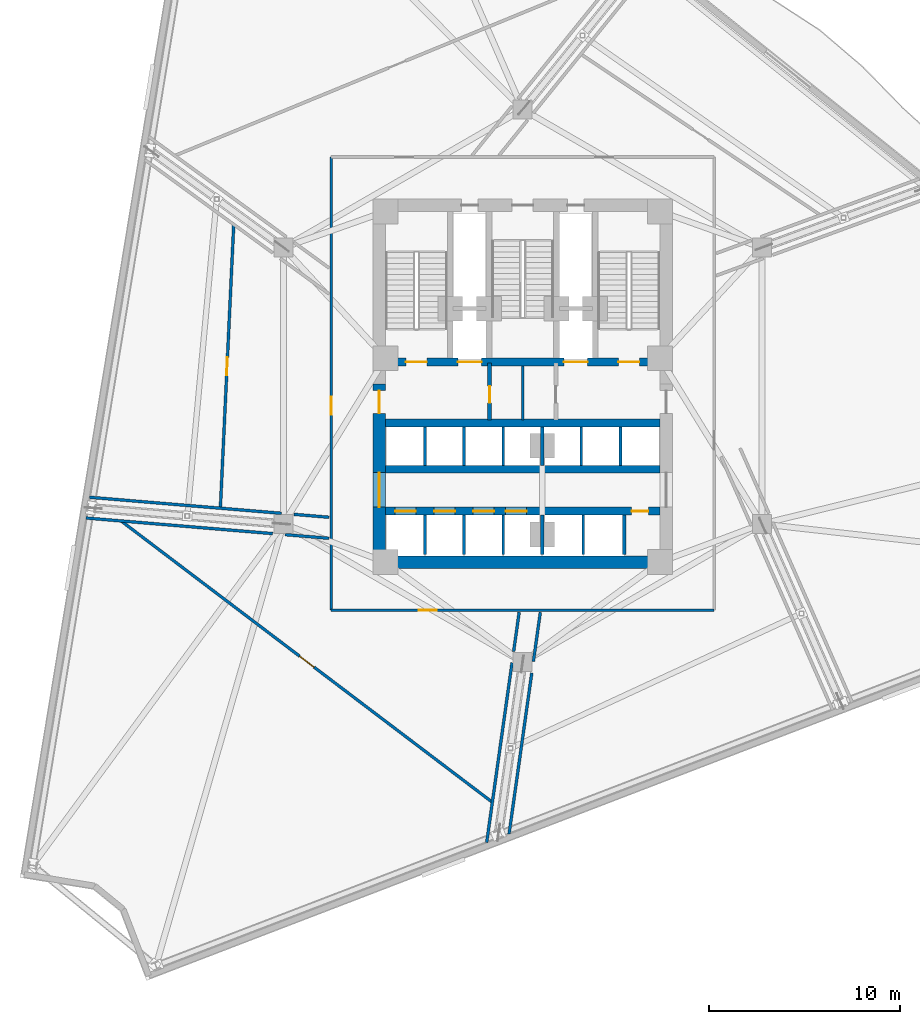
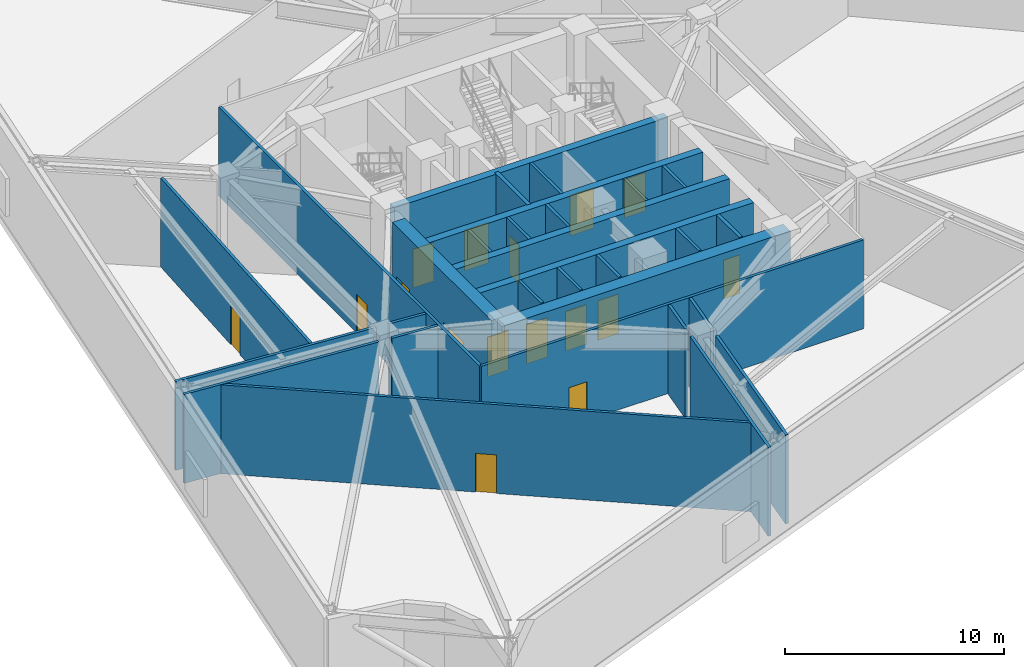
# One storey, part 12 of 18: 32 walls, 16 doors, 16 openings.
"""IFC4 building model written with IfcOpenShell, lengths in metres."""

from ifc_helpers import new_model, si_unit, direction, frame, frame_2d, origin, place, context, subcontext, project, spatial, rectangle, extrude, material, layer, layer_set, type_object, element, fill, save


model = new_model("IFC4")

# Units and contexts
model_context = context("Model", 3, precision=1e-05, world=origin(), true_north=direction((0.0, 1.0)))
body_context = subcontext(model_context, "Body", "Model", "MODEL_VIEW")
ifc_project = project(units=[si_unit("LENGTHUNIT", "METRE"), si_unit("AREAUNIT", "SQUARE_METRE"), si_unit("VOLUMEUNIT", "CUBIC_METRE"), si_unit("PLANEANGLEUNIT", "RADIAN"), si_unit("MASSUNIT", "GRAM", prefix="KILO")], contexts=[model_context])

# Site, building, storey
site_placement = place(None, origin())
site = spatial("IfcSite", under=ifc_project, at=site_placement, CompositionType="ELEMENT")
building_placement = place(site_placement, origin())
building = spatial("IfcBuilding", under=site, at=building_placement, Name="Apsidion Concourse Tower", CompositionType="ELEMENT")
storey_placement = place(building_placement, frame((0.0, 0.0, 127.0)))
storey = spatial("IfcBuildingStorey", under=building, at=storey_placement, Name="L29", CompositionType="ELEMENT", Elevation=127.0)

# Walls
ifc_material_1 = material(Name="Gypsum plasterboard partition")
ifc_layer_1 = layer(ifc_material_1, 0.14990234375)
ifc_layer_set_1 = layer_set([ifc_layer_1], Name="Gypsum plasterboard partition")
wall_type_1 = type_object("IfcWallType", Name="WL-INT-PAR-150", PredefinedType="PARTITIONING", material=ifc_layer_set_1)
for number, where, z_axis, x_axis, name in (
    (1, (-5.125, -4.179931640625, 0.0), (0.0, 0.0, 1.0), (0.0, 1.0, 0.0), "L29 Interior Partition WL-L29-B1DIV-1"),
    (2, (-3.074951171875, -4.179931640625, 0.0), (0.0, 0.0, 1.0), (0.0, 1.0, 0.0), "L29 Interior Partition WL-L29-B1DIV-2"),
    (3, (-1.02490234375, -4.179931640625, 0.0), (0.0, 0.0, 1.0), (0.0, 1.0, 0.0), "L29 Interior Partition WL-L29-B1DIV-3"),
    (4, (3.074951171875, -4.179931640625, 0.0), (0.0, 0.0, 1.0), (0.0, 1.0, 0.0), "L29 Interior Partition WL-L29-B3DIV-1"),
    (5, (5.125, -4.179931640625, 0.0), (0.0, 0.0, 1.0), (0.0, 1.0, 0.0), "L29 Interior Partition WL-L29-B3DIV-2"),
):
    element("IfcWall", number, at=place(storey_placement, frame(where, z_axis=z_axis, x_axis=x_axis)), inside=storey, type_object=wall_type_1, Name=name, PredefinedType="PARTITIONING", context=body_context, shape_type="SweptSolid", body=[
        extrude(rectangle(XDim=2.030029296875, YDim=0.14990234375, at=frame_2d((1.01513671875, 0.0))), origin(), (0.0, 0.0, 1.0), 4.949951171875),
    ])
for number, where, z_axis, x_axis, name in (
    (6, (-5.125, -8.85009765625, 0.0), (0.0, 0.0, 1.0), (0.0, 1.0, 0.0), "L29 Interior Partition WL-L29-B2DIV-1"),
    (7, (-3.074951171875, -8.85009765625, 0.0), (0.0, 0.0, 1.0), (0.0, 1.0, 0.0), "L29 Interior Partition WL-L29-B2DIV-2"),
    (8, (-1.02490234375, -8.85009765625, 0.0), (0.0, 0.0, 1.0), (0.0, 1.0, 0.0), "L29 Interior Partition WL-L29-B2DIV-3"),
    (9, (3.175048828125, -8.85009765625, 0.0), (0.0, 0.0, 1.0), (0.0, 1.0, 0.0), "L29 Interior Partition WL-L29-SHDIV-1"),
):
    element("IfcWall", number, at=place(storey_placement, frame(where, z_axis=z_axis, x_axis=x_axis)), inside=storey, type_object=wall_type_1, Name=name, PredefinedType="PARTITIONING", context=body_context, shape_type="SweptSolid", body=[
        extrude(rectangle(XDim=2.080078125, YDim=0.14990234375, at=frame_2d((1.0400390625, 0.0))), origin(), (0.0, 0.0, 1.0), 4.949951171875),
    ])
wall_1_placement = place(storey_placement, frame((0.0, -1.780029296875, 0.0), z_axis=(0.0, 0.0, 1.0), x_axis=(0.0, 1.0, 0.0)))
element("IfcWall", 10, at=wall_1_placement, inside=storey, type_object=wall_type_1, Name="L29 Interior Partition WL-L29-K3V", PredefinedType="PARTITIONING", context=body_context, shape_type="SweptSolid", body=[
    extrude(rectangle(XDim=2.830078125, YDim=0.14990234375, at=frame_2d((1.4150390625, 0.0))), origin(), (0.0, 0.0, 1.0), 4.949951171875),
])

# Wall, opening, door
wall_2_placement = place(storey_placement, frame((10.050048828125, -11.77490234375, 0.0), z_axis=(0.0, 0.0, 1.0), x_axis=(-1.0, 0.0, 0.0)))
wall_2 = element("IfcWall", 11, at=wall_2_placement, inside=storey, type_object=wall_type_1, Name="L29 Interior Partition WL-L29-CORR-03", PredefinedType="PARTITIONING", context=body_context, shape_type="SweptSolid", body=[
    extrude(rectangle(XDim=20.10009765625, YDim=0.14990234375, at=frame_2d((10.050048828125, 0.0))), origin(), (0.0, 0.0, 1.0), 4.949951171875),
])
opening_1_placement = place(wall_2_placement, frame((14.561767578125, 0.0, 0.0)))
opening_1 = element("IfcOpeningElement", 12, at=opening_1_placement, cuts=wall_2, Name="Opening D-01R", PredefinedType="OPENING", context=body_context, shape_type="SweptSolid", body=[
    extrude(rectangle(XDim=0.949951171875, YDim=2.14990234375, at=frame_2d((0.47509765625, 1.074951171875))), frame((0.0, 0.0849609375, 0.0), z_axis=(0.0, -1.0, 0.0), x_axis=(1.0, 0.0, 0.0)), (0.0, 0.0, 1.0), 0.169921875),
])
ifc_material_2 = material(Name="Brushed stainless steel 316", Category="steel")
door_type_1 = type_object("IfcDoorType", Name="DR-INT-D01R", OperationType="SINGLE_SWING_RIGHT", PredefinedType="DOOR", material=ifc_material_2)
door_1_placement = place(opening_1_placement, origin())
door_1 = element("IfcDoor", 13, at=door_1_placement, inside=storey, type_object=door_type_1, Name="L29 Corridor Entry Door 02", OperationType="SINGLE_SWING_RIGHT", OverallHeight=2.14990234375, OverallWidth=0.949951171875, PredefinedType="DOOR", context=body_context, shape_type="SweptSolid", body=[
    extrude(rectangle(XDim=0.949951171875, YDim=2.14990234375, at=frame_2d((0.47509765625, 1.074951171875))), frame((0.0, 0.02490234375, 0.0), z_axis=(0.0, -1.0, 0.0), x_axis=(1.0, 0.0, 0.0)), (0.0, 0.0, 1.0), 0.050048828125),
])
fill(opening_1, door_1)

wall_3_placement = place(storey_placement, frame((-10.050048828125, -11.77490234375, 0.0), z_axis=(0.0, 0.0, 1.0), x_axis=(0.0, 1.0, 0.0)))
wall_3 = element("IfcWall", 14, at=wall_3_placement, inside=storey, type_object=wall_type_1, Name="L29 Interior Partition WL-L29-CORR-04", PredefinedType="PARTITIONING", context=body_context, shape_type="SweptSolid", body=[
    extrude(rectangle(XDim=23.77490234375, YDim=0.14990234375, at=frame_2d((11.887451171875, 0.0))), origin(), (0.0, 0.0, 1.0), 4.949951171875),
])
opening_2_placement = place(wall_3_placement, frame((10.257080078125, 0.0, 0.0)))
opening_2 = element("IfcOpeningElement", 15, at=opening_2_placement, cuts=wall_3, Name="Opening D-01R", PredefinedType="OPENING", context=body_context, shape_type="SweptSolid", body=[
    extrude(rectangle(XDim=0.949951171875, YDim=2.14990234375, at=frame_2d((0.47509765625, 1.074951171875))), frame((0.0, 0.0849609375, 0.0), z_axis=(0.0, -1.0, 0.0), x_axis=(1.0, 0.0, 0.0)), (0.0, 0.0, 1.0), 0.169921875),
])
door_2_placement = place(opening_2_placement, origin())
door_2 = element("IfcDoor", 16, at=door_2_placement, inside=storey, type_object=door_type_1, Name="L29 Corridor Entry Door 06", OperationType="SINGLE_SWING_RIGHT", OverallHeight=2.14990234375, OverallWidth=0.949951171875, PredefinedType="DOOR", context=body_context, shape_type="SweptSolid", body=[
    extrude(rectangle(XDim=0.949951171875, YDim=2.14990234375, at=frame_2d((0.47509765625, 1.074951171875))), frame((0.0, 0.02490234375, 0.0), z_axis=(0.0, -1.0, 0.0), x_axis=(1.0, 0.0, 0.0)), (0.0, 0.0, 1.0), 0.050048828125),
])
fill(opening_2, door_2)

# Walls
wall_4_placement = place(storey_placement, frame((-10.155029296875, -6.89892578125, 0.0), z_axis=(0.0, 0.0, 1.0), x_axis=(-0.996532103205, 0.083209177865, 0.0)))
element("IfcWall", 17, at=wall_4_placement, inside=storey, type_object=wall_type_1, Name="L29 Interior Partition WL-L29-OTW-01-1-1", PredefinedType="PARTITIONING", context=body_context, shape_type="SweptSolid", body=[
    extrude(rectangle(XDim=1.851318359375, YDim=0.14990234375, at=frame_2d((0.92578125, 0.0))), origin(), (0.0, 0.0, 1.0), 4.949951171875),
])
wall_5_placement = place(storey_placement, frame((-12.656982421875, -6.68994140625, 0.0), z_axis=(0.0, 0.0, 1.0), x_axis=(-0.996528920514, 0.083247285716, 0.0)))
element("IfcWall", 18, at=wall_5_placement, inside=storey, type_object=wall_type_1, Name="L29 Interior Partition WL-L29-OTW-01-1-2", PredefinedType="PARTITIONING", context=body_context, shape_type="SweptSolid", body=[
    extrude(rectangle(XDim=10.112060546875, YDim=0.14990234375, at=frame_2d((5.05615234375, 0.0))), origin(), (0.0, 0.0, 1.0), 4.949951171875),
])
wall_6_placement = place(storey_placement, frame((-10.155029296875, -8.0029296875, 0.0), z_axis=(0.0, 0.0, 1.0), x_axis=(-0.996528293092, 0.08325479606, 0.0)))
element("IfcWall", 19, at=wall_6_placement, inside=storey, type_object=wall_type_1, Name="L29 Interior Partition WL-L29-OTW-01-2-1", PredefinedType="PARTITIONING", context=body_context, shape_type="SweptSolid", body=[
    extrude(rectangle(XDim=2.316650390625, YDim=0.14990234375, at=frame_2d((1.158203125, 0.0))), origin(), (0.0, 0.0, 1.0), 4.949951171875),
])
wall_7_placement = place(storey_placement, frame((-13.1201171875, -7.755126953125, 0.0), z_axis=(0.0, 0.0, 1.0), x_axis=(-0.996528259086, 0.083255203096, 0.0)))
element("IfcWall", 20, at=wall_7_placement, inside=storey, type_object=wall_type_1, Name="L29 Interior Partition WL-L29-OTW-01-2-2", PredefinedType="PARTITIONING", context=body_context, shape_type="SweptSolid", body=[
    extrude(rectangle(XDim=9.82666015625, YDim=0.14990234375, at=frame_2d((4.913330078125, 0.0))), origin(), (0.0, 0.0, 1.0), 4.949951171875),
])
wall_8_placement = place(storey_placement, frame((-0.185791015625, -11.8798828125, 0.0), z_axis=(0.0, 0.0, 1.0), x_axis=(-0.139761852294, -0.990185146648, 0.0)))
element("IfcWall", 21, at=wall_8_placement, inside=storey, type_object=wall_type_1, Name="L29 Interior Partition WL-L29-OTW-06-1-1", PredefinedType="PARTITIONING", context=body_context, shape_type="SweptSolid", body=[
    extrude(rectangle(XDim=2.08056640625, YDim=0.14990234375, at=frame_2d((1.040283203125, 0.0))), origin(), (0.0, 0.0, 1.0), 4.949951171875),
])
wall_9_placement = place(storey_placement, frame((-0.56005859375, -14.531982421875, 0.0), z_axis=(0.0, 0.0, 1.0), x_axis=(-0.139728832647, -0.990189806717, 0.0)))
element("IfcWall", 22, at=wall_9_placement, inside=storey, type_object=wall_type_1, Name="L29 Interior Partition WL-L29-OTW-06-1-2", PredefinedType="PARTITIONING", context=body_context, shape_type="SweptSolid", body=[
    extrude(rectangle(XDim=9.532958984375, YDim=0.14990234375, at=frame_2d((4.7666015625, 0.0))), origin(), (0.0, 0.0, 1.0), 4.949951171875),
])
wall_10_placement = place(storey_placement, frame((0.925048828125, -11.8798828125, 0.0), z_axis=(0.0, 0.0, 1.0), x_axis=(-0.139668505067, -0.99019831786, 0.0)))
element("IfcWall", 23, at=wall_10_placement, inside=storey, type_object=wall_type_1, Name="L29 Interior Partition WL-L29-OTW-06-2-1", PredefinedType="PARTITIONING", context=body_context, shape_type="SweptSolid", body=[
    extrude(rectangle(XDim=2.61328125, YDim=0.14990234375, at=frame_2d((1.306640625, 0.0))), origin(), (0.0, 0.0, 1.0), 4.949951171875),
])
wall_11_placement = place(storey_placement, frame((0.476318359375, -15.06005859375, 0.0), z_axis=(0.0, 0.0, 1.0), x_axis=(-0.139725018377, -0.990190344954, 0.0)))
element("IfcWall", 24, at=wall_11_placement, inside=storey, type_object=wall_type_1, Name="L29 Interior Partition WL-L29-OTW-06-2-2", PredefinedType="PARTITIONING", context=body_context, shape_type="SweptSolid", body=[
    extrude(rectangle(XDim=8.544189453125, YDim=0.14990234375, at=frame_2d((4.27197265625, 0.0))), origin(), (0.0, 0.0, 1.0), 4.949951171875),
])

# Wall, opening, door
wall_12_placement = place(storey_placement, frame((-21.043212890625, -7.11328125, 0.0), z_axis=(0.0, 0.0, 1.0), x_axis=(0.797059575398, -0.603900681625, 0.0)))
wall_12 = element("IfcWall", 25, at=wall_12_placement, inside=storey, type_object=wall_type_1, Name="L29 Interior Partition WL-L29-CHD-PLS01", PredefinedType="PARTITIONING", context=body_context, shape_type="SweptSolid", body=[
    extrude(rectangle(XDim=24.380126953125, YDim=0.14990234375, at=frame_2d((12.18994140625, 0.0))), origin(), (0.0, 0.0, 1.0), 4.949951171875),
])
opening_3_placement = place(wall_12_placement, frame((11.715087890625, 0.0, 0.0)))
opening_3 = element("IfcOpeningElement", 26, at=opening_3_placement, cuts=wall_12, Name="Opening D-04L", PredefinedType="OPENING", context=body_context, shape_type="SweptSolid", body=[
    extrude(rectangle(XDim=0.949951171875, YDim=2.14990234375, at=frame_2d((0.47509765625, 1.074951171875))), frame((0.0, 0.0849609375, 0.0), z_axis=(0.0, -1.0, 0.0), x_axis=(1.0, 0.0, 0.0)), (0.0, 0.0, 1.0), 0.169921875),
])
door_type_2 = type_object("IfcDoorType", Name="DR-INT-D04L", OperationType="SINGLE_SWING_LEFT", PredefinedType="DOOR", material=ifc_material_2)
door_3_placement = place(opening_3_placement, origin())
door_3 = element("IfcDoor", 27, at=door_3_placement, inside=storey, type_object=door_type_2, Name="L29 Suite Connecting Door PLS01", OperationType="SINGLE_SWING_LEFT", OverallHeight=2.14990234375, OverallWidth=0.949951171875, PredefinedType="DOOR", context=body_context, shape_type="SweptSolid", body=[
    extrude(rectangle(XDim=0.949951171875, YDim=2.14990234375, at=frame_2d((0.47509765625, 1.074951171875))), frame((0.0, 0.02490234375, 0.0), z_axis=(0.0, -1.0, 0.0), x_axis=(1.0, 0.0, 0.0)), (0.0, 0.0, 1.0), 0.050048828125),
])
fill(opening_3, door_3)

wall_13_placement = place(storey_placement, frame((-15.1650390625, 8.44189453125, 0.0), z_axis=(0.0, 0.0, 1.0), x_axis=(-0.047068709215, -0.998891654091, 0.0)))
wall_13 = element("IfcWall", 28, at=wall_13_placement, inside=storey, type_object=wall_type_1, Name="L29 Interior Partition WL-L29-CHD-PLS03", PredefinedType="PARTITIONING", context=body_context, shape_type="SweptSolid", body=[
    extrude(rectangle(XDim=14.8603515625, YDim=0.14990234375, at=frame_2d((7.43017578125, 0.0))), origin(), (0.0, 0.0, 1.0), 4.949951171875),
])
opening_4_placement = place(wall_13_placement, frame((6.955078125, 0.0, 0.0)))
opening_4 = element("IfcOpeningElement", 29, at=opening_4_placement, cuts=wall_13, Name="Opening D-04L", PredefinedType="OPENING", context=body_context, shape_type="SweptSolid", body=[
    extrude(rectangle(XDim=0.949951171875, YDim=2.14990234375, at=frame_2d((0.47509765625, 1.074951171875))), frame((0.0, 0.0849609375, 0.0), z_axis=(0.0, -1.0, 0.0), x_axis=(1.0, 0.0, 0.0)), (0.0, 0.0, 1.0), 0.169921875),
])
door_4_placement = place(opening_4_placement, origin())
door_4 = element("IfcDoor", 30, at=door_4_placement, inside=storey, type_object=door_type_2, Name="L29 Suite Connecting Door PLS03", OperationType="SINGLE_SWING_LEFT", OverallHeight=2.14990234375, OverallWidth=0.949951171875, PredefinedType="DOOR", context=body_context, shape_type="SweptSolid", body=[
    extrude(rectangle(XDim=0.949951171875, YDim=2.14990234375, at=frame_2d((0.47509765625, 1.074951171875))), frame((0.0, 0.02490234375, 0.0), z_axis=(0.0, -1.0, 0.0), x_axis=(1.0, 0.0, 0.0)), (0.0, 0.0, 1.0), 0.050048828125),
])
fill(opening_4, door_4)

# Walls
ifc_layer_2 = layer(ifc_material_1, 0.179931640625)
ifc_layer_set_2 = layer_set([ifc_layer_2], Name="Gypsum plasterboard partition")
wall_type_2 = type_object("IfcWallType", Name="WL-INT-PAR-180", PredefinedType="PARTITIONING", material=ifc_layer_set_2)
wall_14_placement = place(storey_placement, frame((1.02490234375, -4.179931640625, 0.0), z_axis=(0.0, 0.0, 1.0), x_axis=(0.0, 1.0, 0.0)))
element("IfcWall", 31, at=wall_14_placement, inside=storey, type_object=wall_type_2, Name="L29 Interior Partition WL-L29-B1END", PredefinedType="PARTITIONING", context=body_context, shape_type="SweptSolid", body=[
    extrude(rectangle(XDim=2.030029296875, YDim=0.179931640625, at=frame_2d((1.01513671875, 0.0))), origin(), (0.0, 0.0, 1.0), 3.998046875),
])
wall_15_placement = place(storey_placement, frame((1.02490234375, -8.85009765625, 0.0), z_axis=(0.0, 0.0, 1.0), x_axis=(0.0, 1.0, 0.0)))
element("IfcWall", 32, at=wall_15_placement, inside=storey, type_object=wall_type_2, Name="L29 Interior Partition WL-L29-B2END", PredefinedType="PARTITIONING", context=body_context, shape_type="SweptSolid", body=[
    extrude(rectangle(XDim=2.080078125, YDim=0.179931640625, at=frame_2d((1.0400390625, 0.0))), origin(), (0.0, 0.0, 1.0), 3.998046875),
])
wall_16_placement = place(storey_placement, frame((5.324951171875, -8.85009765625, 0.0), z_axis=(0.0, 0.0, 1.0), x_axis=(0.0, 1.0, 0.0)))
element("IfcWall", 33, at=wall_16_placement, inside=storey, type_object=wall_type_2, Name="L29 Interior Partition WL-L29-SHDIV-2", PredefinedType="PARTITIONING", context=body_context, shape_type="SweptSolid", body=[
    extrude(rectangle(XDim=2.080078125, YDim=0.179931640625, at=frame_2d((1.0400390625, 0.0))), origin(), (0.0, 0.0, 1.0), 4.949951171875),
])

# Wall, opening, door
ifc_layer_3 = layer(ifc_material_1, 0.199951171875)
ifc_layer_set_3 = layer_set([ifc_layer_3], Name="Gypsum plasterboard partition")
wall_type_3 = type_object("IfcWallType", Name="WL-INT-PAR-200", PredefinedType="PARTITIONING", material=ifc_layer_set_3)
wall_17_placement = place(storey_placement, frame((-1.739990234375, -1.780029296875, 0.0), z_axis=(0.0, 0.0, 1.0), x_axis=(0.0, 1.0, 0.0)))
wall_17 = element("IfcWall", 34, at=wall_17_placement, inside=storey, type_object=wall_type_3, Name="L29 Interior Partition WL-L29-FF1-E", PredefinedType="PARTITIONING", context=body_context, shape_type="SweptSolid", body=[
    extrude(rectangle(XDim=2.97998046875, YDim=0.199951171875, at=frame_2d((1.489990234375, 0.0))), origin(), (0.0, 0.0, 1.0), 4.949951171875),
])
opening_5_placement = place(wall_17_placement, frame((0.889892578125, 0.0, 0.0)))
opening_5 = element("IfcOpeningElement", 35, at=opening_5_placement, cuts=wall_17, Name="Opening D-05R", PredefinedType="OPENING", context=body_context, shape_type="SweptSolid", body=[
    extrude(rectangle(XDim=0.8798828125, YDim=2.14990234375, at=frame_2d((0.43994140625, 1.074951171875))), frame((0.0, 0.10986328125, 0.0), z_axis=(0.0, -1.0, 0.0), x_axis=(1.0, 0.0, 0.0)), (0.0, 0.0, 1.0), 0.219970703125),
])
door_type_3 = type_object("IfcDoorType", Name="DR-INT-D05R", OperationType="SINGLE_SWING_RIGHT", PredefinedType="DOOR", material=ifc_material_2)
door_5_placement = place(opening_5_placement, origin())
door_5 = element("IfcDoor", 36, at=door_5_placement, inside=storey, type_object=door_type_3, Name="L29 Core Pantry Door", OperationType="SINGLE_SWING_RIGHT", OverallHeight=2.14990234375, OverallWidth=0.8798828125, PredefinedType="DOOR", context=body_context, shape_type="SweptSolid", body=[
    extrude(rectangle(XDim=0.8798828125, YDim=2.14990234375, at=frame_2d((0.43994140625, 1.074951171875))), frame((0.0, 0.02490234375, 0.0), z_axis=(0.0, -1.0, 0.0), x_axis=(1.0, 0.0, 0.0)), (0.0, 0.0, 1.0), 0.050048828125),
])
fill(opening_5, door_5)

# Wall, openings, doors
ifc_material_3 = material(Name="Concrete C50/60", Category="concrete")
ifc_layer_4 = layer(ifc_material_3, 0.39990234375)
ifc_layer_set_4 = layer_set([ifc_layer_4], Name="Concrete C50/60")
wall_type_4 = type_object("IfcWallType", Name="WL-SH-400", PredefinedType="SHEAR", material=ifc_layer_set_4)
wall_18_placement = place(storey_placement, frame((-7.199951171875, 1.25, 0.0), z_axis=(0.0, 0.0, 1.0), x_axis=(1.0, 0.0, 0.0)))
wall_18 = element("IfcWall", 37, at=wall_18_placement, inside=storey, type_object=wall_type_4, Name="L29 Central Core Shear Wall M1", PredefinedType="SHEAR", context=body_context, shape_type="SweptSolid", body=[
    extrude(rectangle(XDim=14.39990234375, YDim=0.39990234375, at=frame_2d((7.199951171875, 0.0))), origin(), (0.0, 0.0, 1.0), 4.949951171875),
])
opening_6_placement = place(wall_18_placement, frame((3.794921875, 0.0, 0.0)))
opening_6 = element("IfcOpeningElement", 38, at=opening_6_placement, cuts=wall_18, Name="Opening LD-FF", PredefinedType="OPENING", context=body_context, shape_type="SweptSolid", body=[
    extrude(rectangle(XDim=1.25, YDim=2.25, at=frame_2d((0.625, 1.125))), frame((0.0, 0.2099609375, 0.0), z_axis=(0.0, -1.0, 0.0), x_axis=(1.0, 0.0, 0.0)), (0.0, 0.0, 1.0), 0.419921875),
])
opening_7_placement = place(wall_18_placement, frame((9.35498046875, 0.0, 0.0)))
opening_7 = element("IfcOpeningElement", 39, at=opening_7_placement, cuts=wall_18, Name="Opening LD-FF", PredefinedType="OPENING", context=body_context, shape_type="SweptSolid", body=[
    extrude(rectangle(XDim=1.25, YDim=2.25, at=frame_2d((0.625, 1.125))), frame((0.0, 0.2099609375, 0.0), z_axis=(0.0, -1.0, 0.0), x_axis=(1.0, 0.0, 0.0)), (0.0, 0.0, 1.0), 0.419921875),
])
opening_8_placement = place(wall_18_placement, frame((1.074951171875, 0.0, 0.0)))
opening_8 = element("IfcOpeningElement", 40, at=opening_8_placement, cuts=wall_18, Name="Opening D-STL", PredefinedType="OPENING", context=body_context, shape_type="SweptSolid", body=[
    extrude(rectangle(XDim=1.10009765625, YDim=2.14990234375, at=frame_2d((0.550048828125, 1.074951171875))), frame((0.0, 0.2099609375, 0.0), z_axis=(0.0, -1.0, 0.0), x_axis=(1.0, 0.0, 0.0)), (0.0, 0.0, 1.0), 0.419921875),
])
opening_9_placement = place(wall_18_placement, frame((12.22509765625, 0.0, 0.0)))
opening_9 = element("IfcOpeningElement", 41, at=opening_9_placement, cuts=wall_18, Name="Opening D-STR", PredefinedType="OPENING", context=body_context, shape_type="SweptSolid", body=[
    extrude(rectangle(XDim=1.10009765625, YDim=2.14990234375, at=frame_2d((0.550048828125, 1.074951171875))), frame((0.0, 0.2099609375, 0.0), z_axis=(0.0, -1.0, 0.0), x_axis=(1.0, 0.0, 0.0)), (0.0, 0.0, 1.0), 0.419921875),
])
door_type_4 = type_object("IfcDoorType", Name="DR-INT-ST1L", OperationType="SINGLE_SWING_LEFT", PredefinedType="DOOR", material=ifc_material_2)
door_6_placement = place(opening_8_placement, origin())
door_6 = element("IfcDoor", 42, at=door_6_placement, inside=storey, type_object=door_type_4, Name="L29 Core Exit Stair ST1 Door", OperationType="SINGLE_SWING_LEFT", OverallHeight=2.14990234375, OverallWidth=1.10009765625, PredefinedType="DOOR", context=body_context, shape_type="SweptSolid", body=[
    extrude(rectangle(XDim=1.10009765625, YDim=2.14990234375, at=frame_2d((0.550048828125, 1.074951171875))), frame((0.0, 0.02490234375, 0.0), z_axis=(0.0, -1.0, 0.0), x_axis=(1.0, 0.0, 0.0)), (0.0, 0.0, 1.0), 0.050048828125),
])
fill(opening_8, door_6)
door_type_5 = type_object("IfcDoorType", Name="DR-INT-ST1R", OperationType="SINGLE_SWING_RIGHT", PredefinedType="DOOR", material=ifc_material_2)
door_7_placement = place(opening_9_placement, origin())
door_7 = element("IfcDoor", 43, at=door_7_placement, inside=storey, type_object=door_type_5, Name="L29 Core Exit Stair ST2 Door", OperationType="SINGLE_SWING_RIGHT", OverallHeight=2.14990234375, OverallWidth=1.10009765625, PredefinedType="DOOR", context=body_context, shape_type="SweptSolid", body=[
    extrude(rectangle(XDim=1.10009765625, YDim=2.14990234375, at=frame_2d((0.550048828125, 1.074951171875))), frame((0.0, 0.02490234375, 0.0), z_axis=(0.0, -1.0, 0.0), x_axis=(1.0, 0.0, 0.0)), (0.0, 0.0, 1.0), 0.050048828125),
])
fill(opening_9, door_7)
door_type_6 = type_object("IfcDoorType", Name="DR-LD-FSAE", OperationType="DOUBLE_DOOR_SLIDING", PredefinedType="DOOR", material=ifc_material_2)
door_8_placement = place(opening_6_placement, origin())
door_8 = element("IfcDoor", 44, at=door_8_placement, inside=storey, type_object=door_type_6, Name="L29 Lift Landing Door FF1", OperationType="DOUBLE_DOOR_SLIDING", OverallHeight=2.25, OverallWidth=1.25, PredefinedType="DOOR", context=body_context, shape_type="SweptSolid", body=[
    extrude(rectangle(XDim=1.25, YDim=2.25, at=frame_2d((0.625, 1.125))), frame((0.0, 0.02490234375, 0.0), z_axis=(0.0, -1.0, 0.0), x_axis=(1.0, 0.0, 0.0)), (0.0, 0.0, 1.0), 0.050048828125),
])
fill(opening_6, door_8)
door_9_placement = place(opening_7_placement, origin())
door_9 = element("IfcDoor", 45, at=door_9_placement, inside=storey, type_object=door_type_6, Name="L29 Lift Landing Door FF2", OperationType="DOUBLE_DOOR_SLIDING", OverallHeight=2.25, OverallWidth=1.25, PredefinedType="DOOR", context=body_context, shape_type="SweptSolid", body=[
    extrude(rectangle(XDim=1.25, YDim=2.25, at=frame_2d((0.625, 1.125))), frame((0.0, 0.02490234375, 0.0), z_axis=(0.0, -1.0, 0.0), x_axis=(1.0, 0.0, 0.0)), (0.0, 0.0, 1.0), 0.050048828125),
])
fill(opening_7, door_9)

# Walls
for number, where, z_axis, x_axis, name in (
    (46, (-7.199951171875, -1.949951171875, 0.0), (0.0, 0.0, 1.0), (1.0, 0.0, 0.0), "L29 Central Core Shear Wall M2"),
    (47, (-7.199951171875, -4.3798828125, 0.0), (0.0, 0.0, 1.0), (1.0, 0.0, 0.0), "L29 Central Core Shear Wall LA"),
):
    element("IfcWall", number, at=place(storey_placement, frame(where, z_axis=z_axis, x_axis=x_axis)), inside=storey, type_object=wall_type_4, Name=name, PredefinedType="SHEAR", context=body_context, shape_type="SweptSolid", body=[
        extrude(rectangle(XDim=14.39990234375, YDim=0.39990234375, at=frame_2d((7.199951171875, 0.0))), origin(), (0.0, 0.0, 1.0), 4.949951171875),
    ])

# Wall, openings, doors
wall_19_placement = place(storey_placement, frame((-7.199951171875, -6.570068359375, 0.0), z_axis=(0.0, 0.0, 1.0), x_axis=(1.0, 0.0, 0.0)))
wall_19 = element("IfcWall", 48, at=wall_19_placement, inside=storey, type_object=wall_type_4, Name="L29 Central Core Shear Wall LB", PredefinedType="SHEAR", context=body_context, shape_type="SweptSolid", body=[
    extrude(rectangle(XDim=14.39990234375, YDim=0.39990234375, at=frame_2d((7.199951171875, 0.0))), origin(), (0.0, 0.0, 1.0), 4.949951171875),
])
opening_10_placement = place(wall_19_placement, frame((0.5, 0.0, 0.0)))
opening_10 = element("IfcOpeningElement", 49, at=opening_10_placement, cuts=wall_19, Name="Opening LD-P1", PredefinedType="OPENING", context=body_context, shape_type="SweptSolid", body=[
    extrude(rectangle(XDim=1.10009765625, YDim=2.199951171875, at=frame_2d((0.550048828125, 1.10009765625))), frame((0.0, 0.2099609375, 0.0), z_axis=(0.0, -1.0, 0.0), x_axis=(1.0, 0.0, 0.0)), (0.0, 0.0, 1.0), 0.419921875),
])
opening_11_placement = place(wall_19_placement, frame((2.550048828125, 0.0, 0.0)))
opening_11 = element("IfcOpeningElement", 50, at=opening_11_placement, cuts=wall_19, Name="Opening LD-P1", PredefinedType="OPENING", context=body_context, shape_type="SweptSolid", body=[
    extrude(rectangle(XDim=1.10009765625, YDim=2.199951171875, at=frame_2d((0.550048828125, 1.10009765625))), frame((0.0, 0.2099609375, 0.0), z_axis=(0.0, -1.0, 0.0), x_axis=(1.0, 0.0, 0.0)), (0.0, 0.0, 1.0), 0.419921875),
])
opening_12_placement = place(wall_19_placement, frame((4.60009765625, 0.0, 0.0)))
opening_12 = element("IfcOpeningElement", 51, at=opening_12_placement, cuts=wall_19, Name="Opening LD-P1", PredefinedType="OPENING", context=body_context, shape_type="SweptSolid", body=[
    extrude(rectangle(XDim=1.10009765625, YDim=2.199951171875, at=frame_2d((0.550048828125, 1.10009765625))), frame((0.0, 0.2099609375, 0.0), z_axis=(0.0, -1.0, 0.0), x_axis=(1.0, 0.0, 0.0)), (0.0, 0.0, 1.0), 0.419921875),
])
opening_13_placement = place(wall_19_placement, frame((6.300048828125, 0.0, 0.0)))
opening_13 = element("IfcOpeningElement", 52, at=opening_13_placement, cuts=wall_19, Name="Opening LD-P1", PredefinedType="OPENING", context=body_context, shape_type="SweptSolid", body=[
    extrude(rectangle(XDim=1.10009765625, YDim=2.199951171875, at=frame_2d((0.550048828125, 1.10009765625))), frame((0.0, 0.2099609375, 0.0), z_axis=(0.0, -1.0, 0.0), x_axis=(1.0, 0.0, 0.0)), (0.0, 0.0, 1.0), 0.419921875),
])
opening_14_placement = place(wall_19_placement, frame((12.909912109375, 0.0, 0.0)))
opening_14 = element("IfcOpeningElement", 53, at=opening_14_placement, cuts=wall_19, Name="Opening D-05L", PredefinedType="OPENING", context=body_context, shape_type="SweptSolid", body=[
    extrude(rectangle(XDim=0.8798828125, YDim=2.14990234375, at=frame_2d((0.43994140625, 1.074951171875))), frame((0.0, 0.2099609375, 0.0), z_axis=(0.0, -1.0, 0.0), x_axis=(1.0, 0.0, 0.0)), (0.0, 0.0, 1.0), 0.419921875),
])
door_type_7 = type_object("IfcDoorType", Name="DR-INT-D05L", OperationType="SINGLE_SWING_LEFT", PredefinedType="DOOR", material=ifc_material_2)
door_10_placement = place(opening_14_placement, origin())
door_10 = element("IfcDoor", 54, at=door_10_placement, inside=storey, type_object=door_type_7, Name="L29 Cleaners Store Door", OperationType="SINGLE_SWING_LEFT", OverallHeight=2.14990234375, OverallWidth=0.8798828125, PredefinedType="DOOR", context=body_context, shape_type="SweptSolid", body=[
    extrude(rectangle(XDim=0.8798828125, YDim=2.14990234375, at=frame_2d((0.43994140625, 1.074951171875))), frame((0.0, 0.02490234375, 0.0), z_axis=(0.0, -1.0, 0.0), x_axis=(1.0, 0.0, 0.0)), (0.0, 0.0, 1.0), 0.050048828125),
])
fill(opening_14, door_10)
door_type_8 = type_object("IfcDoorType", Name="DR-LD-PASS", OperationType="DOUBLE_DOOR_SLIDING", PredefinedType="DOOR", material=ifc_material_2)
door_11_placement = place(opening_10_placement, origin())
door_11 = element("IfcDoor", 55, at=door_11_placement, inside=storey, type_object=door_type_8, Name="L29 Lift Landing Door P5", OperationType="DOUBLE_DOOR_SLIDING", OverallHeight=2.199951171875, OverallWidth=1.10009765625, PredefinedType="DOOR", context=body_context, shape_type="SweptSolid", body=[
    extrude(rectangle(XDim=1.10009765625, YDim=2.199951171875, at=frame_2d((0.550048828125, 1.10009765625))), frame((0.0, 0.02490234375, 0.0), z_axis=(0.0, -1.0, 0.0), x_axis=(1.0, 0.0, 0.0)), (0.0, 0.0, 1.0), 0.050048828125),
])
fill(opening_10, door_11)
door_12_placement = place(opening_11_placement, origin())
door_12 = element("IfcDoor", 56, at=door_12_placement, inside=storey, type_object=door_type_8, Name="L29 Lift Landing Door P6", OperationType="DOUBLE_DOOR_SLIDING", OverallHeight=2.199951171875, OverallWidth=1.10009765625, PredefinedType="DOOR", context=body_context, shape_type="SweptSolid", body=[
    extrude(rectangle(XDim=1.10009765625, YDim=2.199951171875, at=frame_2d((0.550048828125, 1.10009765625))), frame((0.0, 0.02490234375, 0.0), z_axis=(0.0, -1.0, 0.0), x_axis=(1.0, 0.0, 0.0)), (0.0, 0.0, 1.0), 0.050048828125),
])
fill(opening_11, door_12)
door_13_placement = place(opening_12_placement, origin())
door_13 = element("IfcDoor", 57, at=door_13_placement, inside=storey, type_object=door_type_8, Name="L29 Lift Landing Door P7", OperationType="DOUBLE_DOOR_SLIDING", OverallHeight=2.199951171875, OverallWidth=1.10009765625, PredefinedType="DOOR", context=body_context, shape_type="SweptSolid", body=[
    extrude(rectangle(XDim=1.10009765625, YDim=2.199951171875, at=frame_2d((0.550048828125, 1.10009765625))), frame((0.0, 0.02490234375, 0.0), z_axis=(0.0, -1.0, 0.0), x_axis=(1.0, 0.0, 0.0)), (0.0, 0.0, 1.0), 0.050048828125),
])
fill(opening_12, door_13)
door_14_placement = place(opening_13_placement, origin())
door_14 = element("IfcDoor", 58, at=door_14_placement, inside=storey, type_object=door_type_8, Name="L29 Lift Landing Door P8", OperationType="DOUBLE_DOOR_SLIDING", OverallHeight=2.199951171875, OverallWidth=1.10009765625, PredefinedType="DOOR", context=body_context, shape_type="SweptSolid", body=[
    extrude(rectangle(XDim=1.10009765625, YDim=2.199951171875, at=frame_2d((0.550048828125, 1.10009765625))), frame((0.0, 0.02490234375, 0.0), z_axis=(0.0, -1.0, 0.0), x_axis=(1.0, 0.0, 0.0)), (0.0, 0.0, 1.0), 0.050048828125),
])
fill(opening_13, door_14)

ifc_layer_5 = layer(ifc_material_3, 0.64990234375)
ifc_layer_set_5 = layer_set([ifc_layer_5], Name="Concrete C50/60")
wall_type_5 = type_object("IfcWallType", Name="WL-SH-650", PredefinedType="SHEAR", material=ifc_layer_set_5)
wall_20_placement = place(storey_placement, frame((-7.52490234375, -8.925048828125, 0.0), z_axis=(0.0, 0.0, 1.0), x_axis=(0.0, 1.0, 0.0)))
wall_20 = element("IfcWall", 59, at=wall_20_placement, inside=storey, type_object=wall_type_5, Name="L29 Central Core Shear Wall WS", PredefinedType="SHEAR", context=body_context, shape_type="SweptSolid", body=[
    extrude(rectangle(XDim=9.025146484375, YDim=0.64990234375, at=frame_2d((4.5126953125, 0.0))), origin(), (0.0, 0.0, 1.0), 4.949951171875),
])
opening_15_placement = place(wall_20_placement, frame((2.56494140625, 0.0, 0.0)))
opening_15 = element("IfcOpeningElement", 60, at=opening_15_placement, cuts=wall_20, Name="Opening D-06D", PredefinedType="OPENING", context=body_context, shape_type="SweptSolid", body=[
    extrude(rectangle(XDim=1.800048828125, YDim=2.199951171875, at=frame_2d((0.89990234375, 1.10009765625))), frame((0.0, 0.3349609375, 0.0), z_axis=(0.0, -1.0, 0.0), x_axis=(1.0, 0.0, 0.0)), (0.0, 0.0, 1.0), 0.669921875),
])
opening_16_placement = place(wall_20_placement, frame((7.47509765625, 0.0, 0.0)))
opening_16 = element("IfcOpeningElement", 61, at=opening_16_placement, cuts=wall_20, Name="Opening D-FFL", PredefinedType="OPENING", context=body_context, shape_type="SweptSolid", body=[
    extrude(rectangle(XDim=1.199951171875, YDim=2.14990234375, at=frame_2d((0.60009765625, 1.074951171875))), frame((0.0, 0.3349609375, 0.0), z_axis=(0.0, -1.0, 0.0), x_axis=(1.0, 0.0, 0.0)), (0.0, 0.0, 1.0), 0.669921875),
])
door_type_9 = type_object("IfcDoorType", Name="DR-INT-D06D", OperationType="DOUBLE_DOOR_SINGLE_SWING", PredefinedType="DOOR", material=ifc_material_2)
door_15_placement = place(opening_15_placement, origin())
door_15 = element("IfcDoor", 62, at=door_15_placement, inside=storey, type_object=door_type_9, Name="L29 Passenger Lift Lobby WS Portal Door", OperationType="DOUBLE_DOOR_SINGLE_SWING", OverallHeight=2.199951171875, OverallWidth=1.800048828125, PredefinedType="DOOR", context=body_context, shape_type="SweptSolid", body=[
    extrude(rectangle(XDim=1.800048828125, YDim=2.199951171875, at=frame_2d((0.89990234375, 1.10009765625))), frame((0.0, 0.02490234375, 0.0), z_axis=(0.0, -1.0, 0.0), x_axis=(1.0, 0.0, 0.0)), (0.0, 0.0, 1.0), 0.050048828125),
])
fill(opening_15, door_15)
door_type_10 = type_object("IfcDoorType", Name="DR-INT-FFL", OperationType="SINGLE_SWING_LEFT", PredefinedType="DOOR", material=ifc_material_2)
door_16_placement = place(opening_16_placement, origin())
door_16 = element("IfcDoor", 63, at=door_16_placement, inside=storey, type_object=door_type_10, Name="L29 Firefighting Lift Lobby FF1 Door", OperationType="SINGLE_SWING_LEFT", OverallHeight=2.14990234375, OverallWidth=1.199951171875, PredefinedType="DOOR", context=body_context, shape_type="SweptSolid", body=[
    extrude(rectangle(XDim=1.199951171875, YDim=2.14990234375, at=frame_2d((0.60009765625, 1.074951171875))), frame((0.0, 0.02490234375, 0.0), z_axis=(0.0, -1.0, 0.0), x_axis=(1.0, 0.0, 0.0)), (0.0, 0.0, 1.0), 0.050048828125),
])
fill(opening_16, door_16)

# Wall
wall_21_placement = place(storey_placement, frame((-7.52490234375, -9.25, 0.0), z_axis=(0.0, 0.0, 1.0), x_axis=(1.0, 0.0, 0.0)))
element("IfcWall", 64, at=wall_21_placement, inside=storey, type_object=wall_type_5, Name="L29 Central Core Shear Wall S", PredefinedType="SHEAR", context=body_context, shape_type="SweptSolid", body=[
    extrude(rectangle(XDim=15.0498046875, YDim=0.64990234375, at=frame_2d((7.52490234375, 0.0))), origin(), (0.0, 0.0, 1.0), 4.949951171875),
])

save(model, "model.ifc")
